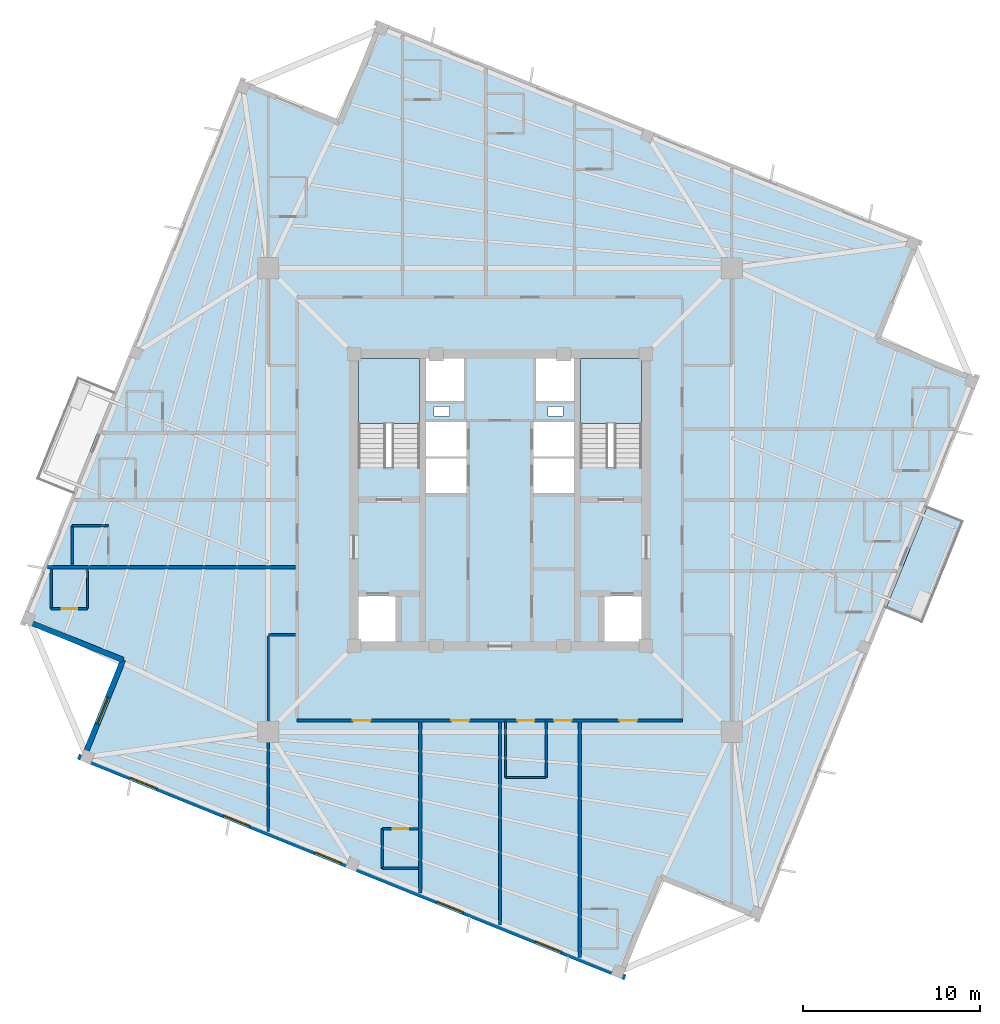
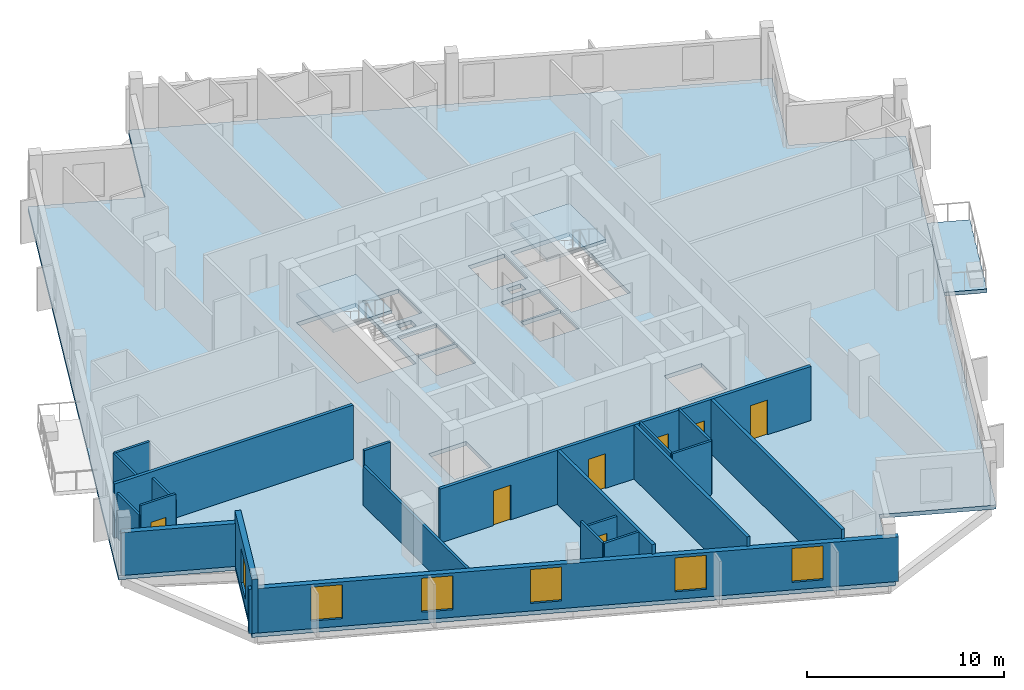
# One storey, part 2 of 9: 21 walls, 7 doors, 6 windows, 4 slabs, 13 openings, 2 elements without a shape of their own.
"""IFC4 building model written with IfcOpenShell, lengths in metres."""

from ifc_helpers import new_model, si_unit, direction, frame, frame_2d, origin, place, context, subcontext, project, spatial, polyline, rectangle, outline, extrude, source, transform, mapped, material, layer, layer_set, type_object, element, fill, aggregate, save


model = new_model("IFC4")

# Units and contexts
model_context = context("Model", 3, precision=1e-05, world=origin(), true_north=direction((0.0, 1.0)))
body_context = subcontext(model_context, "Body", "Model", "MODEL_VIEW")
ifc_project = project(units=[si_unit("LENGTHUNIT", "METRE"), si_unit("AREAUNIT", "SQUARE_METRE"), si_unit("VOLUMEUNIT", "CUBIC_METRE"), si_unit("PLANEANGLEUNIT", "RADIAN"), si_unit("MASSUNIT", "GRAM", prefix="KILO"), si_unit("THERMODYNAMICTEMPERATUREUNIT", "KELVIN")], contexts=[model_context])

# Site, building, storey
site_placement = place(None, origin())
site = spatial("IfcSite", under=ifc_project, at=site_placement, CompositionType="ELEMENT")
building_placement = place(site_placement, origin())
building = spatial("IfcBuilding", under=site, at=building_placement, Name="Kosmvard Interchange Tower", CompositionType="ELEMENT")
storey_placement = place(building_placement, frame((0.0, 0.0, 279.60009765625)))
storey = spatial("IfcBuildingStorey", under=building, at=storey_placement, Name="L68", CompositionType="ELEMENT", Elevation=279.60009765625)

# Slab
ifc_material_1 = material(Name="Concrete C50/60", Category="concrete")
ifc_layer_1 = layer(ifc_material_1, 0.25, Name="Concrete C50/60")
ifc_layer_set_1 = layer_set([ifc_layer_1], Name="Concrete C50/60")
slab_type_1 = type_object("IfcSlabType", Name="Hotel Acoustic Floor Slab 250 C50/60", PredefinedType="FLOOR", material=ifc_layer_set_1)
slab_1_placement = place(storey_placement, frame((0.0, 0.0, -0.25)))
element("IfcSlab", 1, at=slab_1_placement, inside=storey, type_object=slab_type_1, Name="L68 Structural Floor Slab", PredefinedType="FLOOR", context=body_context, shape_type="SweptSolid", body=[
    extrude(outline(polyline([(14.6806640625, -23.727294921875), (27.042724609375, 6.869873046875), (21.4794921875, 9.117431640625), (23.727294921875, 14.6806640625), (-6.869873046875, 27.042724609375), (-9.117431640625, 21.4794921875), (-14.6806640625, 23.727294921875), (-27.042724609375, -6.869873046875), (-21.4794921875, -9.117431640625), (-23.727294921875, -14.6806640625), (6.869873046875, -27.042724609375), (9.117431640625, -21.4794921875), (14.6806640625, -23.727294921875)]), holes=[polyline([(-8.0, 1.8349609375), (-4.5400390625, 1.8349609375), (-4.5400390625, 8.0), (-8.0, 8.0), (-8.0, 1.8349609375)]), polyline([(4.5400390625, 1.8349609375), (8.0, 1.8349609375), (8.0, 8.0), (4.5400390625, 8.0), (4.5400390625, 1.8349609375)]), polyline([(-8.0, -8.0), (-5.800048828125, -8.0), (-5.800048828125, -5.39990234375), (-8.0, -5.39990234375), (-8.0, -8.0)]), polyline([(5.800048828125, -8.0), (8.0, -8.0), (8.0, -5.39990234375), (5.800048828125, -5.39990234375), (5.800048828125, -8.0)]), polyline([(-4.179931640625, 0.39990234375), (-1.8798828125, 0.39990234375), (-1.8798828125, 2.340087890625), (-4.179931640625, 2.340087890625), (-4.179931640625, 0.39990234375)]), polyline([(-4.179931640625, 2.4599609375), (-1.8798828125, 2.4599609375), (-1.8798828125, 4.39990234375), (-4.179931640625, 4.39990234375), (-4.179931640625, 2.4599609375)]), polyline([(1.8798828125, 0.39990234375), (4.179931640625, 0.39990234375), (4.179931640625, 2.340087890625), (1.8798828125, 2.340087890625), (1.8798828125, 0.39990234375)]), polyline([(1.8798828125, 2.4599609375), (4.179931640625, 2.4599609375), (4.179931640625, 4.39990234375), (1.8798828125, 4.39990234375), (1.8798828125, 2.4599609375)]), polyline([(-4.179931640625, 5.60009765625), (-2.0400390625, 5.60009765625), (-2.0400390625, 8.0), (-4.179931640625, 8.0), (-4.179931640625, 5.60009765625)]), polyline([(2.0400390625, 5.60009765625), (4.179931640625, 5.60009765625), (4.179931640625, 8.0), (2.0400390625, 8.0), (2.0400390625, 5.60009765625)]), polyline([(-3.715087890625, 4.739990234375), (-2.864990234375, 4.739990234375), (-2.864990234375, 5.2900390625), (-3.715087890625, 5.2900390625), (-3.715087890625, 4.739990234375)]), polyline([(2.715087890625, 4.739990234375), (3.56494140625, 4.739990234375), (3.56494140625, 5.2900390625), (2.715087890625, 5.2900390625), (2.715087890625, 4.739990234375)])]), origin(), (0.0, 0.0, 1.0), 0.25),
])

# Stair, slab
stair_type = type_object("IfcStairType", Name="Dog-Leg Core Exit Stair H3600 C50/60", PredefinedType="HALF_TURN_STAIR", material=ifc_material_1)
stair_1_placement = place(storey_placement, origin())
stair_1 = element("IfcStair", 2, at=stair_1_placement, inside=storey, type_object=stair_type, Name="L68 Protected Exit Stair ST-1", PredefinedType="HALF_TURN_STAIR")
ifc_layer_2 = layer(ifc_material_1, 0.199951171875, Name="Concrete C50/60")
ifc_layer_set_2 = layer_set([ifc_layer_2], Name="Concrete C50/60")
slab_type_2 = type_object("IfcSlabType", Name="Stair Half-Landing Slab 200 C50/60", PredefinedType="LANDING", material=ifc_layer_set_2)
slab_2_placement = place(storey_placement, frame((0.0, 0.0, 1.599853515625)))
slab_2 = element("IfcSlab", 3, at=slab_2_placement, type_object=slab_type_2, Name="ST-1 landing 1", PredefinedType="LANDING", context=body_context, shape_type="SweptSolid", body=[
    extrude(outline(polyline([(-4.5400390625, 4.320068359375), (-4.5400390625, 8.0), (-8.0, 8.0), (-8.0, 4.320068359375), (-4.5400390625, 4.320068359375)])), origin(), (0.0, 0.0, 1.0), 0.199951171875),
])
aggregate(stair_1, [slab_2])

stair_2_placement = place(storey_placement, origin())
stair_2 = element("IfcStair", 4, at=stair_2_placement, inside=storey, type_object=stair_type, Name="L68 Protected Exit Stair ST-2", PredefinedType="HALF_TURN_STAIR")
slab_3_placement = place(storey_placement, frame((0.0, 0.0, 1.599853515625)))
slab_3 = element("IfcSlab", 5, at=slab_3_placement, type_object=slab_type_2, Name="ST-2 landing 1", PredefinedType="LANDING", context=body_context, shape_type="SweptSolid", body=[
    extrude(outline(polyline([(8.0, 4.320068359375), (8.0, 8.0), (4.5400390625, 8.0), (4.5400390625, 4.320068359375), (8.0, 4.320068359375)])), origin(), (0.0, 0.0, 1.0), 0.199951171875),
])
aggregate(stair_2, [slab_3])

# Slab
ifc_layer_3 = layer(ifc_material_1, 0.22998046875, Name="Concrete C50/60")
ifc_layer_set_3 = layer_set([ifc_layer_3], Name="Concrete C50/60")
slab_type_3 = type_object("IfcSlabType", Name="Tree-Planter Cantilever Balcony Slab 230 C50/60", PredefinedType="FLOOR", material=ifc_layer_set_3)
slab_4_placement = place(storey_placement, frame((0.0, 0.0, -0.22998046875)))
element("IfcSlab", 6, at=slab_4_placement, inside=storey, type_object=slab_type_3, Name="L68 Outdoor Terrace Balcony Slab BAL-L68-SW", PredefinedType="FLOOR", context=body_context, shape_type="SweptSolid", body=[
    extrude(outline(polyline([(23.837890625, -6.934814453125), (26.160400390625, -1.186279296875), (24.12060546875, -0.362060546875), (21.798095703125, -6.110595703125), (23.837890625, -6.934814453125)])), origin(), (0.0, 0.0, 1.0), 0.22998046875),
])

# Walls
ifc_material_2 = material(Name="Acoustic gypsum partition system")
ifc_layer_4 = layer(ifc_material_2, 0.14990234375, Name="Acoustic gypsum partition system")
ifc_layer_set_4 = layer_set([ifc_layer_4], Name="Acoustic gypsum partition system")
wall_type_1 = type_object("IfcWallType", Name="Acoustic Suite & Meeting Partition 150", PredefinedType="PARTITIONING", material=ifc_layer_set_4)
wall_1_placement = place(storey_placement, frame((-11.544921875, -7.60009765625, 0.0), z_axis=(0.0, 0.0, 1.0), x_axis=(-1.0, 0.0, 0.0)))
element("IfcWall", 7, at=wall_1_placement, inside=storey, type_object=wall_type_1, Name="L68 Room Partition 19.1", PredefinedType="PARTITIONING", context=body_context, shape_type="SweptSolid", body=[
    extrude(rectangle(XDim=1.5361328125, YDim=0.14990234375, at=frame_2d((0.76806640625, 0.0))), origin(), (0.0, 0.0, 1.0), 3.349853515625),
])
wall_2_placement = place(storey_placement, frame((-13.0810546875, -7.675048828125, 0.0), z_axis=(0.0, 0.0, 1.0), x_axis=(0.0, -1.0, 0.0)))
element("IfcWall", 8, at=wall_2_placement, inside=storey, type_object=wall_type_1, Name="L68 Room Partition 20.1", PredefinedType="PARTITIONING", context=body_context, shape_type="SweptSolid", body=[
    extrude(rectangle(XDim=11.042724609375, YDim=0.14990234375, at=frame_2d((5.521484375, 0.0))), origin(), (0.0, 0.0, 1.0), 2.449951171875),
])

# Wall, openings, doors
ifc_material_3 = material(Name="Fire-rated gypsum partition system")
ifc_layer_5 = layer(ifc_material_3, 0.179931640625, Name="Fire-rated gypsum partition system")
ifc_layer_set_5 = layer_set([ifc_layer_5], Name="Fire-rated gypsum partition system")
wall_type_2 = type_object("IfcWallType", Name="Corridor & Hotel Compartment Partition 180", PredefinedType="PARTITIONING", material=ifc_layer_set_5)
wall_3_placement = place(storey_placement, frame((-11.449951171875, -12.449951171875, 0.0), z_axis=(0.0, 0.0, 1.0), x_axis=(1.0, 0.0, 0.0)))
wall_3 = element("IfcWall", 9, at=wall_3_placement, inside=storey, type_object=wall_type_2, Name="L68 Corridor Wall CS", PredefinedType="PARTITIONING", context=body_context, shape_type="SweptSolid", body=[
    extrude(rectangle(XDim=21.75, YDim=0.179931640625, at=frame_2d((10.875, 0.0))), origin(), (0.0, 0.0, 1.0), 3.349853515625),
])
opening_1_placement = place(wall_3_placement, frame((12.43603515625, 0.0, 0.0)))
opening_1 = element("IfcOpeningElement", 10, at=opening_1_placement, cuts=wall_3, Name="Opening L68-D01", PredefinedType="OPENING", context=body_context, shape_type="SweptSolid", body=[
    extrude(rectangle(XDim=0.949951171875, YDim=2.10009765625, at=frame_2d((0.47509765625, 1.050048828125))), frame((0.0, 0.10009765625, 0.0), z_axis=(0.0, -1.0, 0.0), x_axis=(1.0, 0.0, 0.0)), (0.0, 0.0, 1.0), 0.199951171875),
])
opening_2_placement = place(wall_3_placement, frame((18.185546875, 0.0, 0.0)))
opening_2 = element("IfcOpeningElement", 11, at=opening_2_placement, cuts=wall_3, Name="Opening L68-D22", PredefinedType="OPENING", context=body_context, shape_type="SweptSolid", body=[
    extrude(rectangle(XDim=1.0, YDim=2.14990234375, at=frame_2d((0.5, 1.074951171875))), frame((0.0, 0.10009765625, 0.0), z_axis=(0.0, -1.0, 0.0), x_axis=(1.0, 0.0, 0.0)), (0.0, 0.0, 1.0), 0.199951171875),
])
opening_3_placement = place(wall_3_placement, frame((14.49951171875, 0.0, 0.0)))
opening_3 = element("IfcOpeningElement", 12, at=opening_3_placement, cuts=wall_3, Name="Opening L68-D24", PredefinedType="OPENING", context=body_context, shape_type="SweptSolid", body=[
    extrude(rectangle(XDim=1.0, YDim=2.14990234375, at=frame_2d((0.5, 1.074951171875))), frame((0.0, 0.10009765625, 0.0), z_axis=(0.0, -1.0, 0.0), x_axis=(1.0, 0.0, 0.0)), (0.0, 0.0, 1.0), 0.199951171875),
])
opening_4_placement = place(wall_3_placement, frame((8.699951171875, 0.0, 0.0)))
opening_4 = element("IfcOpeningElement", 13, at=opening_4_placement, cuts=wall_3, Name="Opening L68-D25", PredefinedType="OPENING", context=body_context, shape_type="SweptSolid", body=[
    extrude(rectangle(XDim=1.0, YDim=2.14990234375, at=frame_2d((0.5, 1.074951171875))), frame((0.0, 0.10009765625, 0.0), z_axis=(0.0, -1.0, 0.0), x_axis=(1.0, 0.0, 0.0)), (0.0, 0.0, 1.0), 0.199951171875),
])
opening_5_placement = place(wall_3_placement, frame((3.139404296875, 0.0, 0.0)))
opening_5 = element("IfcOpeningElement", 14, at=opening_5_placement, cuts=wall_3, Name="Opening L68-D26", PredefinedType="OPENING", context=body_context, shape_type="SweptSolid", body=[
    extrude(rectangle(XDim=1.0, YDim=2.14990234375, at=frame_2d((0.5, 1.074951171875))), frame((0.0, 0.10009765625, 0.0), z_axis=(0.0, -1.0, 0.0), x_axis=(1.0, 0.0, 0.0)), (0.0, 0.0, 1.0), 0.199951171875),
])
ifc_material_4 = material(Name="Laminated moisture-resistant timber", Category="wood")
door_type_1 = type_object("IfcDoorType", Name="Accessible Washroom Door 950x2100", OperationType="NOTDEFINED", PredefinedType="DOOR", material=ifc_material_4)
shared_shape_1 = source(origin(), body_context, "Body", "SweptSolid", [
    extrude(rectangle(XDim=0.949951171875, YDim=2.10009765625, at=frame_2d((0.47509765625, 1.050048828125))), frame((0.0, 0.02490234375, 0.0), z_axis=(0.0, -1.0, 0.0), x_axis=(1.0, 0.0, 0.0)), (0.0, 0.0, 1.0), 0.050048828125),
])
door_1_placement = place(opening_1_placement, frame((0.949951171875, 0.0, 0.0), z_axis=(0.0, 0.0, 1.0), x_axis=(-1.0, 0.0, 0.0)))
door_1 = element("IfcDoor", 15, at=door_1_placement, inside=storey, type_object=door_type_1, Name="L68 Accessible Guest Toilet Door", OperationType="SINGLE_SWING_LEFT", OverallHeight=2.10009765625, OverallWidth=0.949951171875, PredefinedType="DOOR", context=body_context, shape_type="MappedRepresentation", body=[
    mapped(shared_shape_1, transform((0.0, 0.0, 0.0), scale=1.0)),
])
fill(opening_1, door_1)
ifc_material_5 = material(Name="Engineered oak fire-rated timber", Category="wood")
door_type_2 = type_object("IfcDoorType", Name="Hotel Guestroom Entrance Door 1000x2150 EI60", OperationType="NOTDEFINED", PredefinedType="DOOR", material=ifc_material_5)
shared_shape_2 = source(origin(), body_context, "Body", "SweptSolid", [
    extrude(rectangle(XDim=1.0, YDim=2.14990234375, at=frame_2d((0.5, 1.074951171875))), frame((0.0, 0.02490234375, 0.0), z_axis=(0.0, -1.0, 0.0), x_axis=(1.0, 0.0, 0.0)), (0.0, 0.0, 1.0), 0.050048828125),
])
door_2_placement = place(opening_2_placement, frame((1.0, 0.0, 0.0), z_axis=(0.0, 0.0, 1.0), x_axis=(-1.0, 0.0, 0.0)))
door_2 = element("IfcDoor", 16, at=door_2_placement, inside=storey, type_object=door_type_2, Name="L68 Hotel Corner Suite 3 Door", OperationType="SINGLE_SWING_RIGHT", OverallHeight=2.14990234375, OverallWidth=1.0, PredefinedType="DOOR", context=body_context, shape_type="MappedRepresentation", body=[
    mapped(shared_shape_2, transform((0.0, 0.0, 0.0), scale=1.0)),
])
fill(opening_2, door_2)
door_3_placement = place(opening_3_placement, frame((1.0, 0.0, 0.0), z_axis=(0.0, 0.0, 1.0), x_axis=(-1.0, 0.0, 0.0)))
door_3 = element("IfcDoor", 17, at=door_3_placement, inside=storey, type_object=door_type_2, Name="L68 Housekeeping and Linen Room Door", OperationType="SINGLE_SWING_RIGHT", OverallHeight=2.14990234375, OverallWidth=1.0, PredefinedType="DOOR", context=body_context, shape_type="MappedRepresentation", body=[
    mapped(shared_shape_2, transform((0.0, 0.0, 0.0), scale=1.0)),
])
fill(opening_3, door_3)
door_4_placement = place(opening_4_placement, frame((1.0, 0.0, 0.0), z_axis=(0.0, 0.0, 1.0), x_axis=(-1.0, 0.0, 0.0)))
door_4 = element("IfcDoor", 18, at=door_4_placement, inside=storey, type_object=door_type_2, Name="L68 Hotel Floor Pantry Door", OperationType="SINGLE_SWING_LEFT", OverallHeight=2.14990234375, OverallWidth=1.0, PredefinedType="DOOR", context=body_context, shape_type="MappedRepresentation", body=[
    mapped(shared_shape_2, transform((0.0, 0.0, 0.0), scale=1.0)),
])
fill(opening_4, door_4)
door_5_placement = place(opening_5_placement, frame((1.0, 0.0, 0.0), z_axis=(0.0, 0.0, 1.0), x_axis=(-1.0, 0.0, 0.0)))
door_5 = element("IfcDoor", 19, at=door_5_placement, inside=storey, type_object=door_type_2, Name="L68 Hotel Deluxe Guest Room 9 Door", OperationType="SINGLE_SWING_RIGHT", OverallHeight=2.14990234375, OverallWidth=1.0, PredefinedType="DOOR", context=body_context, shape_type="MappedRepresentation", body=[
    mapped(shared_shape_2, transform((0.0, 0.0, 0.0), scale=1.0)),
])
fill(opening_5, door_5)

# Walls
wall_4_placement = place(storey_placement, frame((4.5, -12.544921875, 0.0), z_axis=(0.0, 0.0, 1.0), x_axis=(0.0, -1.0, 0.0)))
element("IfcWall", 20, at=wall_4_placement, inside=storey, type_object=wall_type_2, Name="L68 Room Partition 07.1", PredefinedType="PARTITIONING", context=body_context, shape_type="SweptSolid", body=[
    extrude(rectangle(XDim=13.27587890625, YDim=0.179931640625, at=frame_2d((6.637939453125, 0.0))), origin(), (0.0, 0.0, 1.0), 3.349853515625),
])
wall_5_placement = place(storey_placement, frame((0.0, -12.544921875, 0.0), z_axis=(0.0, 0.0, 1.0), x_axis=(0.0, -1.0, 0.0)))
element("IfcWall", 21, at=wall_5_placement, inside=storey, type_object=wall_type_2, Name="L68 Room Partition 08.1", PredefinedType="PARTITIONING", context=body_context, shape_type="SweptSolid", body=[
    extrude(rectangle(XDim=11.457763671875, YDim=0.179931640625, at=frame_2d((5.72900390625, 0.0))), origin(), (0.0, 0.0, 1.0), 3.349853515625),
])
wall_6_placement = place(storey_placement, frame((-4.5, -12.544921875, 0.0), z_axis=(0.0, 0.0, 1.0), x_axis=(0.0, -1.0, 0.0)))
element("IfcWall", 22, at=wall_6_placement, inside=storey, type_object=wall_type_2, Name="L68 Room Partition 09.1", PredefinedType="PARTITIONING", context=body_context, shape_type="SweptSolid", body=[
    extrude(rectangle(XDim=9.6396484375, YDim=0.179931640625, at=frame_2d((4.81982421875, 0.0))), origin(), (0.0, 0.0, 1.0), 3.349853515625),
])
wall_7_placement = place(storey_placement, frame((-11.544921875, -3.800048828125, 0.0), z_axis=(0.0, 0.0, 1.0), x_axis=(-1.0, 0.0, 0.0)))
element("IfcWall", 23, at=wall_7_placement, inside=storey, type_object=wall_type_2, Name="L68 Room Partition 10.1", PredefinedType="PARTITIONING", context=body_context, shape_type="SweptSolid", body=[
    extrude(rectangle(XDim=13.9931640625, YDim=0.179931640625, at=frame_2d((6.99658203125, 0.0))), origin(), (0.0, 0.0, 1.0), 3.349853515625),
])
ifc_material_6 = material(Name="Precast concrete C45/55", Category="concrete")
ifc_layer_6 = layer(ifc_material_6, 0.31005859375, Name="Precast concrete C45/55")
ifc_layer_set_6 = layer_set([ifc_layer_6], Name="Precast concrete C45/55")
wall_type_3 = type_object("IfcWallType", Name="Upper Tower Precast Pier Wall 310 C45/55", PredefinedType="STANDARD", material=ifc_layer_set_6)
wall_8_placement = place(storey_placement, frame((-26.8408203125, -6.7841796875, 0.0), z_axis=(0.0, 0.0, 1.0), x_axis=(0.927171722085, -0.374636620962, 0.0)))
element("IfcWall", 24, at=wall_8_placement, inside=storey, type_object=wall_type_3, Name="L68 Precast Facade Wall N-NW1", PredefinedType="STANDARD", context=body_context, shape_type="SweptSolid", body=[
    extrude(rectangle(XDim=6.0, YDim=0.31005859375, at=frame_2d((3.0, 0.0))), origin(), (0.0, 0.0, 1.0), 2.64990234375),
])

# Wall, opening, window
wall_9_placement = place(storey_placement, frame((-21.27783203125, -9.031982421875, 0.0), z_axis=(0.0, 0.0, 1.0), x_axis=(-0.374602739196, -0.927185411764, 0.0)))
wall_9 = element("IfcWall", 25, at=wall_9_placement, inside=storey, type_object=wall_type_3, Name="L68 Precast Facade Wall N-NW2", PredefinedType="STANDARD", context=body_context, shape_type="SweptSolid", body=[
    extrude(rectangle(XDim=6.155029296875, YDim=0.31005859375, at=frame_2d((3.07763671875, 0.0))), origin(), (0.0, 0.0, 1.0), 3.349853515625),
])
opening_6_placement = place(wall_9_placement, frame((2.277587890625, 0.0, 0.469970703125)))
opening_6 = element("IfcOpeningElement", 26, at=opening_6_placement, cuts=wall_9, Name="Opening L68-W21", PredefinedType="OPENING", context=body_context, shape_type="SweptSolid", body=[
    extrude(rectangle(XDim=1.60009765625, YDim=2.10009765625, at=frame_2d((0.800048828125, 1.050048828125))), frame((0.0, 0.1650390625, 0.0), z_axis=(0.0, -1.0, 0.0), x_axis=(1.0, 0.0, 0.0)), (0.0, 0.0, 1.0), 0.330078125),
])
ifc_material_7 = material(Name="Low-E acoustic double glazing", Category="glass")
window_type = type_object("IfcWindowType", Name="Zone 5 Hotel Punched Window 1600x2100", PartitioningType="SINGLE_PANEL", PredefinedType="WINDOW", material=ifc_material_7)
shared_shape_3 = source(origin(), body_context, "Body", "SweptSolid", [
    extrude(rectangle(XDim=1.60009765625, YDim=2.10009765625, at=frame_2d((0.800048828125, 1.050048828125))), frame((0.0, 0.030029296875, 0.0), z_axis=(0.0, -1.0, 0.0), x_axis=(1.0, 0.0, 0.0)), (0.0, 0.0, 1.0), 0.06005859375),
])
window_1_placement = place(opening_6_placement, origin())
window_1 = element("IfcWindow", 27, at=window_1_placement, inside=storey, type_object=window_type, Name="L68 Corner Notch Window 21", OverallHeight=2.10009765625, OverallWidth=1.60009765625, PartitioningType="SINGLE_PANEL", PredefinedType="WINDOW", context=body_context, shape_type="MappedRepresentation", body=[
    mapped(shared_shape_3, transform((0.0, 0.0, 0.0), scale=1.0)),
])
fill(opening_6, window_1)

# Wall, openings, windows
wall_10_placement = place(storey_placement, frame((-23.812744140625, -14.478759765625, 0.0), z_axis=(0.0, 0.0, 1.0), x_axis=(0.927182657188, -0.374609557019, 0.0)))
wall_10 = element("IfcWall", 28, at=wall_10_placement, inside=storey, type_object=wall_type_3, Name="L68 Precast Facade Wall F-W", PredefinedType="STANDARD", context=body_context, shape_type="SweptSolid", body=[
    extrude(rectangle(XDim=33.31005859375, YDim=0.31005859375, at=frame_2d((16.655029296875, 0.0))), origin(), (0.0, 0.0, 1.0), 2.75),
])
opening_7_placement = place(wall_10_placement, frame((3.197265625, 0.0, 0.469970703125)))
opening_7 = element("IfcOpeningElement", 29, at=opening_7_placement, cuts=wall_10, Name="Opening L68-W14", PredefinedType="OPENING", context=body_context, shape_type="SweptSolid", body=[
    extrude(rectangle(XDim=1.60009765625, YDim=2.10009765625, at=frame_2d((0.800048828125, 1.050048828125))), frame((0.0, 0.1650390625, 0.0), z_axis=(0.0, -1.0, 0.0), x_axis=(1.0, 0.0, 0.0)), (0.0, 0.0, 1.0), 0.330078125),
])
opening_8_placement = place(wall_10_placement, frame((8.85986328125, 0.0, 0.469970703125)))
opening_8 = element("IfcOpeningElement", 30, at=opening_8_placement, cuts=wall_10, Name="Opening L68-W15", PredefinedType="OPENING", context=body_context, shape_type="SweptSolid", body=[
    extrude(rectangle(XDim=1.60009765625, YDim=2.10009765625, at=frame_2d((0.800048828125, 1.050048828125))), frame((0.0, 0.1650390625, 0.0), z_axis=(0.0, -1.0, 0.0), x_axis=(1.0, 0.0, 0.0)), (0.0, 0.0, 1.0), 0.330078125),
])
opening_9_placement = place(wall_10_placement, frame((14.438720703125, 0.0, 0.469970703125)))
opening_9 = element("IfcOpeningElement", 31, at=opening_9_placement, cuts=wall_10, Name="Opening L68-W16", PredefinedType="OPENING", context=body_context, shape_type="SweptSolid", body=[
    extrude(rectangle(XDim=1.60009765625, YDim=2.10009765625, at=frame_2d((0.800048828125, 1.050048828125))), frame((0.0, 0.1650390625, 0.0), z_axis=(0.0, -1.0, 0.0), x_axis=(1.0, 0.0, 0.0)), (0.0, 0.0, 1.0), 0.330078125),
])
opening_10_placement = place(wall_10_placement, frame((21.850830078125, 0.0, 0.469970703125)))
opening_10 = element("IfcOpeningElement", 32, at=opening_10_placement, cuts=wall_10, Name="Opening L68-W17", PredefinedType="OPENING", context=body_context, shape_type="SweptSolid", body=[
    extrude(rectangle(XDim=1.60009765625, YDim=2.10009765625, at=frame_2d((0.800048828125, 1.050048828125))), frame((0.0, 0.1650390625, 0.0), z_axis=(0.0, -1.0, 0.0), x_axis=(1.0, 0.0, 0.0)), (0.0, 0.0, 1.0), 0.330078125),
])
opening_11_placement = place(wall_10_placement, frame((27.8466796875, 0.0, 0.469970703125)))
opening_11 = element("IfcOpeningElement", 33, at=opening_11_placement, cuts=wall_10, Name="Opening L68-W18", PredefinedType="OPENING", context=body_context, shape_type="SweptSolid", body=[
    extrude(rectangle(XDim=1.60009765625, YDim=2.10009765625, at=frame_2d((0.800048828125, 1.050048828125))), frame((0.0, 0.1650390625, 0.0), z_axis=(0.0, -1.0, 0.0), x_axis=(1.0, 0.0, 0.0)), (0.0, 0.0, 1.0), 0.330078125),
])
window_2_placement = place(opening_7_placement, origin())
window_2 = element("IfcWindow", 34, at=window_2_placement, inside=storey, type_object=window_type, Name="L68 Facade Punched Window 14", OverallHeight=2.10009765625, OverallWidth=1.60009765625, PartitioningType="SINGLE_PANEL", PredefinedType="WINDOW", context=body_context, shape_type="MappedRepresentation", body=[
    mapped(shared_shape_3, transform((0.0, 0.0, 0.0), scale=1.0)),
])
fill(opening_7, window_2)
window_3_placement = place(opening_8_placement, origin())
window_3 = element("IfcWindow", 35, at=window_3_placement, inside=storey, type_object=window_type, Name="L68 Facade Punched Window 15", OverallHeight=2.10009765625, OverallWidth=1.60009765625, PartitioningType="SINGLE_PANEL", PredefinedType="WINDOW", context=body_context, shape_type="MappedRepresentation", body=[
    mapped(shared_shape_3, transform((0.0, 0.0, 0.0), scale=1.0)),
])
fill(opening_8, window_3)
window_4_placement = place(opening_9_placement, origin())
window_4 = element("IfcWindow", 36, at=window_4_placement, inside=storey, type_object=window_type, Name="L68 Facade Punched Window 16", OverallHeight=2.10009765625, OverallWidth=1.60009765625, PartitioningType="SINGLE_PANEL", PredefinedType="WINDOW", context=body_context, shape_type="MappedRepresentation", body=[
    mapped(shared_shape_3, transform((0.0, 0.0, 0.0), scale=1.0)),
])
fill(opening_9, window_4)
window_5_placement = place(opening_10_placement, origin())
window_5 = element("IfcWindow", 37, at=window_5_placement, inside=storey, type_object=window_type, Name="L68 Facade Punched Window 17", OverallHeight=2.10009765625, OverallWidth=1.60009765625, PartitioningType="SINGLE_PANEL", PredefinedType="WINDOW", context=body_context, shape_type="MappedRepresentation", body=[
    mapped(shared_shape_3, transform((0.0, 0.0, 0.0), scale=1.0)),
])
fill(opening_10, window_5)
window_6_placement = place(opening_11_placement, origin())
window_6 = element("IfcWindow", 38, at=window_6_placement, inside=storey, type_object=window_type, Name="L68 Facade Punched Window 18", OverallHeight=2.10009765625, OverallWidth=1.60009765625, PartitioningType="SINGLE_PANEL", PredefinedType="WINDOW", context=body_context, shape_type="MappedRepresentation", body=[
    mapped(shared_shape_3, transform((0.0, 0.0, 0.0), scale=1.0)),
])
fill(opening_11, window_6)

# Walls
ifc_material_8 = material(Name="Moisture-resistant gypsum partition")
ifc_layer_7 = layer(ifc_material_8, 0.135009765625, Name="Moisture-resistant gypsum partition")
ifc_layer_set_7 = layer_set([ifc_layer_7], Name="Moisture-resistant gypsum partition")
wall_type_4 = type_object("IfcWallType", Name="Wet Room Moisture-Resistant Partition 135", PredefinedType="PARTITIONING", material=ifc_layer_set_7)
wall_11_placement = place(storey_placement, frame((0.31103515625, -15.669921875, 0.0), z_axis=(0.0, 0.0, 1.0), x_axis=(1.0, 0.0, 0.0)))
element("IfcWall", 39, at=wall_11_placement, inside=storey, type_object=wall_type_4, Name="L68 Washroom Partition HAWC-S", PredefinedType="PARTITIONING", context=body_context, shape_type="SweptSolid", body=[
    extrude(rectangle(XDim=2.300048828125, YDim=0.135009765625, at=frame_2d((1.14990234375, 0.0))), origin(), (0.0, 0.0, 1.0), 3.349853515625),
])
for number, where, z_axis, x_axis, name in (
    (40, (2.611083984375, -15.669921875, 0.0), (0.0, 0.0, 1.0), (0.0, 1.0, 0.0), "L68 Washroom Partition HAWC-E"),
    (41, (0.31103515625, -15.669921875, 0.0), (0.0, 0.0, 1.0), (0.0, 1.0, 0.0), "L68 Washroom Partition HAWC-W"),
):
    element("IfcWall", number, at=place(storey_placement, frame(where, z_axis=z_axis, x_axis=x_axis)), inside=storey, type_object=wall_type_4, Name=name, PredefinedType="PARTITIONING", context=body_context, shape_type="SweptSolid", body=[
        extrude(rectangle(XDim=3.199951171875, YDim=0.135009765625, at=frame_2d((1.60009765625, 0.0))), origin(), (0.0, 0.0, 1.0), 3.349853515625),
    ])
wall_12_placement = place(storey_placement, frame((-6.639892578125, -20.80126953125, 0.0), z_axis=(0.0, 0.0, 1.0), x_axis=(1.0, 0.0, 0.0)))
element("IfcWall", 42, at=wall_12_placement, inside=storey, type_object=wall_type_4, Name="L68 En-Suite Partition HGR9-S", PredefinedType="PARTITIONING", context=body_context, shape_type="SweptSolid", body=[
    extrude(rectangle(XDim=2.0498046875, YDim=0.135009765625, at=frame_2d((1.02490234375, 0.0))), origin(), (0.0, 0.0, 1.0), 3.349853515625),
])

# Wall, opening, door
wall_13_placement = place(storey_placement, frame((-6.639892578125, -18.55126953125, 0.0), z_axis=(0.0, 0.0, 1.0), x_axis=(1.0, 0.0, 0.0)))
wall_13 = element("IfcWall", 43, at=wall_13_placement, inside=storey, type_object=wall_type_4, Name="L68 En-Suite Partition HGR9-N", PredefinedType="PARTITIONING", context=body_context, shape_type="SweptSolid", body=[
    extrude(rectangle(XDim=2.0498046875, YDim=0.135009765625, at=frame_2d((1.02490234375, 0.0))), origin(), (0.0, 0.0, 1.0), 2.949951171875),
])
opening_12_placement = place(wall_13_placement, frame((0.5849609375, 0.0, 0.0)))
opening_12 = element("IfcOpeningElement", 44, at=opening_12_placement, cuts=wall_13, Name="Opening L68-ED27", PredefinedType="OPENING", context=body_context, shape_type="SweptSolid", body=[
    extrude(rectangle(XDim=0.8798828125, YDim=2.10009765625, at=frame_2d((0.43994140625, 1.050048828125))), frame((0.0, 0.07763671875, 0.0), z_axis=(0.0, -1.0, 0.0), x_axis=(1.0, 0.0, 0.0)), (0.0, 0.0, 1.0), 0.155029296875),
])
door_type_3 = type_object("IfcDoorType", Name="En-Suite & Washroom Door 880x2100", OperationType="NOTDEFINED", PredefinedType="DOOR", material=ifc_material_4)
shared_shape_4 = source(origin(), body_context, "Body", "SweptSolid", [
    extrude(rectangle(XDim=0.8798828125, YDim=2.10009765625, at=frame_2d((0.43994140625, 1.050048828125))), frame((0.0, 0.02490234375, 0.0), z_axis=(0.0, -1.0, 0.0), x_axis=(1.0, 0.0, 0.0)), (0.0, 0.0, 1.0), 0.050048828125),
])
door_6_placement = place(opening_12_placement, frame((0.8798828125, 0.0, 0.0), z_axis=(0.0, 0.0, 1.0), x_axis=(-1.0, 0.0, 0.0)))
door_6 = element("IfcDoor", 45, at=door_6_placement, inside=storey, type_object=door_type_3, Name="L68 HGR9 En-Suite Door", OperationType="SINGLE_SWING_RIGHT", OverallHeight=2.10009765625, OverallWidth=0.8798828125, PredefinedType="DOOR", context=body_context, shape_type="MappedRepresentation", body=[
    mapped(shared_shape_4, transform((0.0, 0.0, 0.0), scale=1.0)),
])
fill(opening_12, door_6)

# Wall
wall_14_placement = place(storey_placement, frame((-6.639892578125, -20.80126953125, 0.0), z_axis=(0.0, 0.0, 1.0), x_axis=(0.0, 1.0, 0.0)))
element("IfcWall", 46, at=wall_14_placement, inside=storey, type_object=wall_type_4, Name="L68 En-Suite Partition HGR9-W", PredefinedType="PARTITIONING", context=body_context, shape_type="SweptSolid", body=[
    extrude(rectangle(XDim=2.25, YDim=0.135009765625, at=frame_2d((1.125, 0.0))), origin(), (0.0, 0.0, 1.0), 3.349853515625),
])

# Wall, opening, door
wall_15_placement = place(storey_placement, frame((-25.341552734375, -6.139892578125, 0.0), z_axis=(0.0, 0.0, 1.0), x_axis=(1.0, 0.0, 0.0)))
wall_15 = element("IfcWall", 47, at=wall_15_placement, inside=storey, type_object=wall_type_4, Name="L68 En-Suite Partition HCS4-S", PredefinedType="PARTITIONING", context=body_context, shape_type="SweptSolid", body=[
    extrude(rectangle(XDim=2.050048828125, YDim=0.135009765625, at=frame_2d((1.02490234375, 0.0))), origin(), (0.0, 0.0, 1.0), 3.349853515625),
])
opening_13_placement = place(wall_15_placement, frame((0.5849609375, 0.0, 0.0)))
opening_13 = element("IfcOpeningElement", 48, at=opening_13_placement, cuts=wall_15, Name="Opening L68-ED29", PredefinedType="OPENING", context=body_context, shape_type="SweptSolid", body=[
    extrude(rectangle(XDim=0.8798828125, YDim=2.10009765625, at=frame_2d((0.43994140625, 1.050048828125))), frame((0.0, 0.07763671875, 0.0), z_axis=(0.0, -1.0, 0.0), x_axis=(1.0, 0.0, 0.0)), (0.0, 0.0, 1.0), 0.155029296875),
])
door_7_placement = place(opening_13_placement, origin())
door_7 = element("IfcDoor", 49, at=door_7_placement, inside=storey, type_object=door_type_3, Name="L68 HCS4 En-Suite Door", OperationType="SINGLE_SWING_RIGHT", OverallHeight=2.10009765625, OverallWidth=0.8798828125, PredefinedType="DOOR", context=body_context, shape_type="MappedRepresentation", body=[
    mapped(shared_shape_4, transform((0.0, 0.0, 0.0), scale=1.0)),
])
fill(opening_13, door_7)

# Walls
wall_16_placement = place(storey_placement, frame((-23.29150390625, -6.139892578125, 0.0), z_axis=(0.0, 0.0, 1.0), x_axis=(0.0, 1.0, 0.0)))
element("IfcWall", 50, at=wall_16_placement, inside=storey, type_object=wall_type_4, Name="L68 En-Suite Partition HCS4-E", PredefinedType="PARTITIONING", context=body_context, shape_type="SweptSolid", body=[
    extrude(rectangle(XDim=2.25, YDim=0.135009765625, at=frame_2d((1.125, 0.0))), origin(), (0.0, 0.0, 1.0), 2.949951171875),
])
wall_17_placement = place(storey_placement, frame((-25.341552734375, -6.139892578125, 0.0), z_axis=(0.0, 0.0, 1.0), x_axis=(0.0, 1.0, 0.0)))
element("IfcWall", 51, at=wall_17_placement, inside=storey, type_object=wall_type_4, Name="L68 En-Suite Partition HCS4-W", PredefinedType="PARTITIONING", context=body_context, shape_type="SweptSolid", body=[
    extrude(rectangle(XDim=2.25, YDim=0.135009765625, at=frame_2d((1.125, 0.0))), origin(), (0.0, 0.0, 1.0), 2.75),
])
wall_18_placement = place(storey_placement, frame((-24.15478515625, -1.4599609375, 0.0), z_axis=(0.0, 0.0, 1.0), x_axis=(1.0, 0.0, 0.0)))
element("IfcWall", 52, at=wall_18_placement, inside=storey, type_object=wall_type_4, Name="L68 En-Suite Partition HGR0-N", PredefinedType="PARTITIONING", context=body_context, shape_type="SweptSolid", body=[
    extrude(rectangle(XDim=2.050048828125, YDim=0.135009765625, at=frame_2d((1.02490234375, 0.0))), origin(), (0.0, 0.0, 1.0), 3.349853515625),
])
wall_19_placement = place(storey_placement, frame((-24.15478515625, -3.7099609375, 0.0), z_axis=(0.0, 0.0, 1.0), x_axis=(0.0, 1.0, 0.0)))
element("IfcWall", 53, at=wall_19_placement, inside=storey, type_object=wall_type_4, Name="L68 En-Suite Partition HGR0-W", PredefinedType="PARTITIONING", context=body_context, shape_type="SweptSolid", body=[
    extrude(rectangle(XDim=2.25, YDim=0.135009765625, at=frame_2d((1.125, 0.0))), origin(), (0.0, 0.0, 1.0), 3.349853515625),
])

save(model, "model.ifc")
